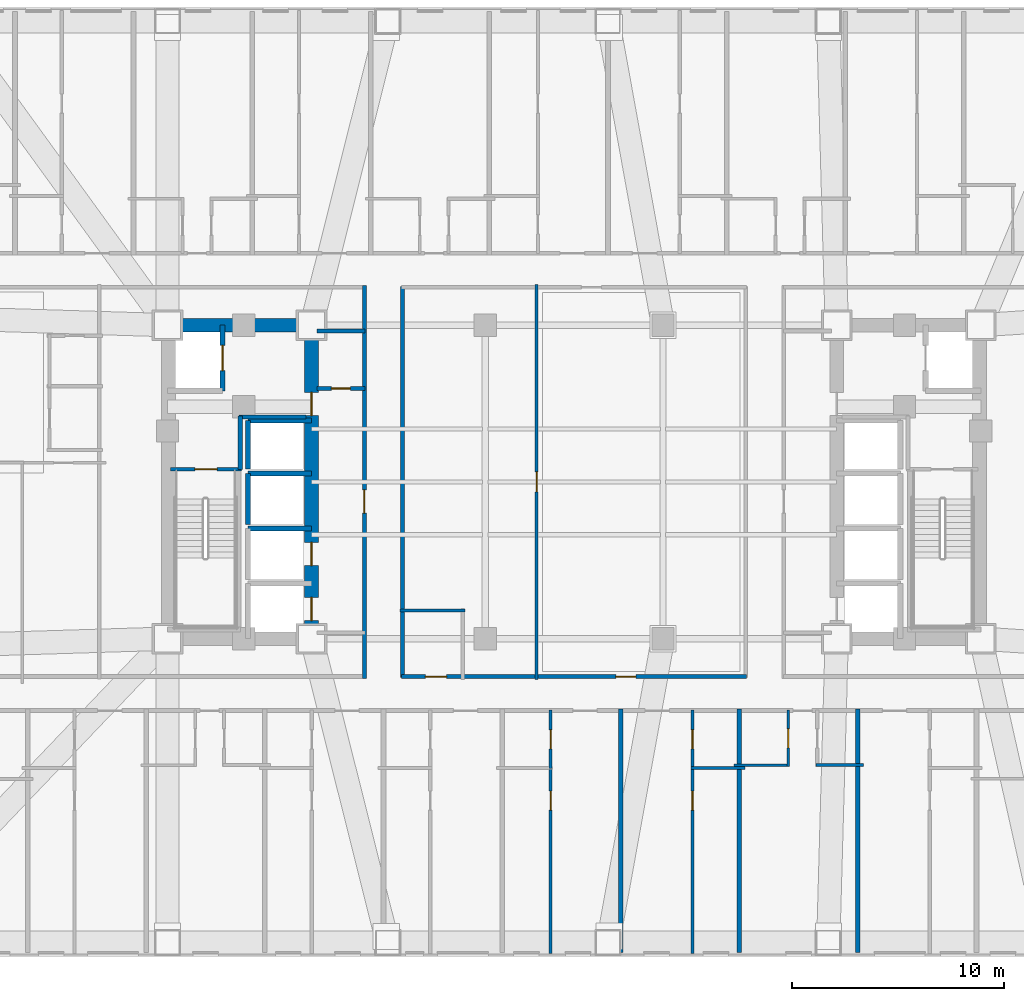
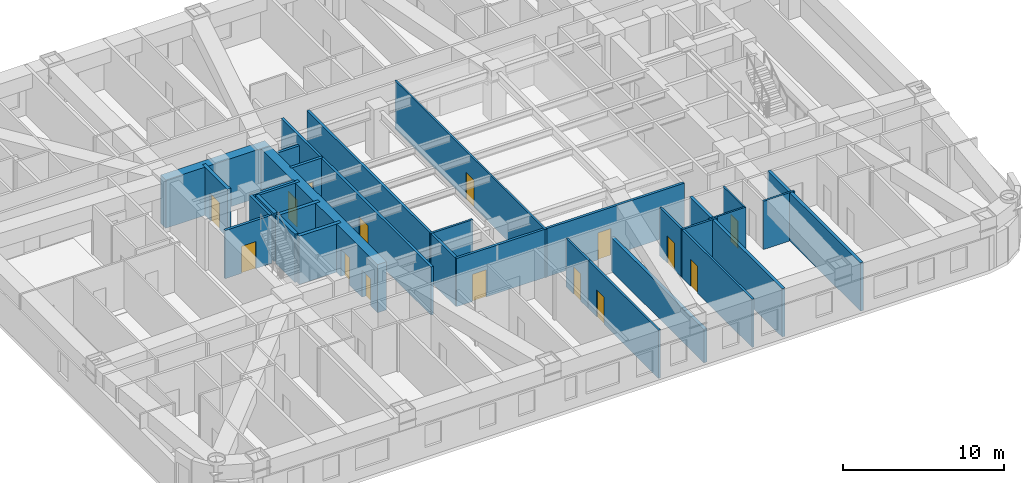
# One storey, part 5 of 12: 29 walls, 15 doors, 15 openings.
"""IFC4 building model written with IfcOpenShell, lengths in metres."""

from ifc_helpers import new_model, si_unit, direction, frame, frame_2d, origin, place, context, subcontext, project, spatial, rectangle, extrude, material, layer, layer_set, type_object, element, fill, save


model = new_model("IFC4")

# Units and contexts
model_context = context("Model", 3, precision=1e-05, world=origin(), true_north=direction((0.0, 1.0)))
body_context = subcontext(model_context, "Body", "Model", "MODEL_VIEW")
ifc_project = project(units=[si_unit("LENGTHUNIT", "METRE"), si_unit("AREAUNIT", "SQUARE_METRE"), si_unit("VOLUMEUNIT", "CUBIC_METRE"), si_unit("PLANEANGLEUNIT", "RADIAN"), si_unit("MASSUNIT", "GRAM", prefix="KILO")], contexts=[model_context])

# Site, building, storey
site_placement = place(None, origin())
site = spatial("IfcSite", under=ifc_project, at=site_placement, CompositionType="ELEMENT")
building_placement = place(site_placement, origin())
building = spatial("IfcBuilding", under=site, at=building_placement, Name="Voryun Gate Residences", CompositionType="ELEMENT")
storey_placement = place(building_placement, frame((0.0, 0.0, 29.89990234375)))
storey = spatial("IfcBuildingStorey", under=building, at=storey_placement, Name="L06", CompositionType="ELEMENT", Elevation=29.89990234375)

# Wall
ifc_material_1 = material(Name="Concrete C60/75", Category="concrete")
ifc_layer_1 = layer(ifc_material_1, 0.64990234375, Name="CW_CORE_650")
ifc_layer_set_1 = layer_set([ifc_layer_1], Name="Concrete C60/75")
wall_type_1 = type_object("IfcWallType", Name="CW_CORE_650", PredefinedType="SHEAR", material=ifc_layer_set_1)
wall_1_placement = place(storey_placement, frame((-19.52490234375, 7.39990234375, 0.0), z_axis=(0.0, 0.0, 1.0), x_axis=(1.0, 0.0, 0.0)))
element("IfcWall", 1, at=wall_1_placement, inside=storey, type_object=wall_type_1, Name="L06 Core shear wall CW-L06-WN", PredefinedType="SHEAR", context=body_context, shape_type="SweptSolid", body=[
    extrude(rectangle(XDim=7.449951171875, YDim=0.64990234375, at=frame_2d((3.72509765625, 0.0))), origin(), (0.0, 0.0, 1.0), 3.650146484375),
])

# Wall, openings, doors
wall_2_placement = place(storey_placement, frame((-12.39990234375, -7.39990234375, 0.0), z_axis=(0.0, 0.0, 1.0), x_axis=(0.0, 1.0, 0.0)))
wall_2 = element("IfcWall", 2, at=wall_2_placement, inside=storey, type_object=wall_type_1, Name="L06 Core shear wall CW-L06-WE", PredefinedType="SHEAR", context=body_context, shape_type="SweptSolid", body=[
    extrude(rectangle(XDim=14.7998046875, YDim=0.64990234375, at=frame_2d((7.39990234375, 0.0))), origin(), (0.0, 0.0, 1.0), 3.650146484375),
])
opening_1_placement = place(wall_2_placement, frame((0.85009765625, 0.0, 0.0)))
opening_1 = element("IfcOpeningElement", 3, at=opening_1_placement, cuts=wall_2, Name="Opening LD2", PredefinedType="OPENING", context=body_context, shape_type="SweptSolid", body=[
    extrude(rectangle(XDim=1.10009765625, YDim=2.050048828125, at=frame_2d((0.550048828125, 1.02490234375))), frame((0.0, 0.3349609375, 0.0), z_axis=(0.0, -1.0, 0.0), x_axis=(1.0, 0.0, 0.0)), (0.0, 0.0, 1.0), 0.669921875),
])
opening_2_placement = place(wall_2_placement, frame((3.449951171875, 0.0, 0.0)))
opening_2 = element("IfcOpeningElement", 4, at=opening_2_placement, cuts=wall_2, Name="Opening LD2", PredefinedType="OPENING", context=body_context, shape_type="SweptSolid", body=[
    extrude(rectangle(XDim=1.10009765625, YDim=2.050048828125, at=frame_2d((0.550048828125, 1.02490234375))), frame((0.0, 0.3349609375, 0.0), z_axis=(0.0, -1.0, 0.0), x_axis=(1.0, 0.0, 0.0)), (0.0, 0.0, 1.0), 0.669921875),
])
opening_3_placement = place(wall_2_placement, frame((10.530029296875, 0.0, 0.0)))
opening_3 = element("IfcOpeningElement", 5, at=opening_3_placement, cuts=wall_2, Name="Opening D-FD60-2", PredefinedType="OPENING", context=body_context, shape_type="SweptSolid", body=[
    extrude(rectangle(XDim=1.10009765625, YDim=2.050048828125, at=frame_2d((0.550048828125, 1.02490234375))), frame((0.0, 0.3349609375, 0.0), z_axis=(0.0, -1.0, 0.0), x_axis=(1.0, 0.0, 0.0)), (0.0, 0.0, 1.0), 0.669921875),
])
ifc_material_2 = material(Name="Painted steel fire door", Category="steel")
door_type_1 = type_object("IfcDoorType", Name="DR_FD60_FFLOB_1100", OperationType="NOTDEFINED", PredefinedType="DOOR", material=ifc_material_2)
door_1_placement = place(opening_3_placement, origin())
door_1 = element("IfcDoor", 6, at=door_1_placement, inside=storey, type_object=door_type_1, Name="Door DR-L06-CLOB-W", OperationType="SINGLE_SWING_LEFT", OverallHeight=2.050048828125, OverallWidth=1.10009765625, PredefinedType="DOOR", context=body_context, shape_type="SweptSolid", body=[
    extrude(rectangle(XDim=1.10009765625, YDim=2.050048828125, at=frame_2d((0.550048828125, 1.02490234375))), frame((0.0, 0.02490234375, 0.0), z_axis=(0.0, -1.0, 0.0), x_axis=(1.0, 0.0, 0.0)), (0.0, 0.0, 1.0), 0.050048828125),
])
fill(opening_3, door_1)
ifc_material_3 = material(Name="Anodised aluminium", Category="aluminium")
door_type_2 = type_object("IfcDoorType", Name="DR_LD_PASS_1100", OperationType="NOTDEFINED", PredefinedType="DOOR", material=ifc_material_3)
door_2_placement = place(opening_1_placement, origin())
door_2 = element("IfcDoor", 7, at=door_2_placement, inside=storey, type_object=door_type_2, Name="Lift EL-P1 sliding landing door L06", OperationType="SLIDING_TO_LEFT", OverallHeight=2.050048828125, OverallWidth=1.10009765625, PredefinedType="DOOR", context=body_context, shape_type="SweptSolid", body=[
    extrude(rectangle(XDim=1.10009765625, YDim=2.050048828125, at=frame_2d((0.550048828125, 1.02490234375))), frame((0.0, 0.02490234375, 0.0), z_axis=(0.0, -1.0, 0.0), x_axis=(1.0, 0.0, 0.0)), (0.0, 0.0, 1.0), 0.050048828125),
])
fill(opening_1, door_2)
door_3_placement = place(opening_2_placement, origin())
door_3 = element("IfcDoor", 8, at=door_3_placement, inside=storey, type_object=door_type_2, Name="Lift EL-P2 sliding landing door L06", OperationType="SLIDING_TO_LEFT", OverallHeight=2.050048828125, OverallWidth=1.10009765625, PredefinedType="DOOR", context=body_context, shape_type="SweptSolid", body=[
    extrude(rectangle(XDim=1.10009765625, YDim=2.050048828125, at=frame_2d((0.550048828125, 1.02490234375))), frame((0.0, 0.02490234375, 0.0), z_axis=(0.0, -1.0, 0.0), x_axis=(1.0, 0.0, 0.0)), (0.0, 0.0, 1.0), 0.050048828125),
])
fill(opening_2, door_3)

# Wall, opening, door
ifc_material_4 = material(Name="Gypsum acoustic fireboard")
ifc_layer_2 = layer(ifc_material_4, 0.179931640625, Name="W_CORR_RATED_180")
ifc_layer_set_2 = layer_set([ifc_layer_2], Name="Gypsum acoustic fireboard")
wall_type_2 = type_object("IfcWallType", Name="W_CORR_RATED_180", PredefinedType="PARTITIONING", material=ifc_layer_set_2)
wall_3_placement = place(storey_placement, frame((-19.06005859375, 0.60009765625, 0.0), z_axis=(0.0, 0.0, 1.0), x_axis=(1.0, 0.0, 0.0)))
wall_3 = element("IfcWall", 9, at=wall_3_placement, inside=storey, type_object=wall_type_2, Name="Partition wall WP-L06-STV-W", PredefinedType="PARTITIONING", context=body_context, shape_type="SweptSolid", body=[
    extrude(rectangle(XDim=3.360107421875, YDim=0.179931640625, at=frame_2d((1.68017578125, 0.0))), origin(), (0.0, 0.0, 1.0), 3.650146484375),
])
opening_4_placement = place(wall_3_placement, frame((1.155029296875, 0.0, 0.0)))
opening_4 = element("IfcOpeningElement", 10, at=opening_4_placement, cuts=wall_3, Name="Opening D-FD60-1", PredefinedType="OPENING", context=body_context, shape_type="SweptSolid", body=[
    extrude(rectangle(XDim=1.050048828125, YDim=2.050048828125, at=frame_2d((0.52490234375, 1.02490234375))), frame((0.0, 0.099853515625, 0.0), z_axis=(0.0, -1.0, 0.0), x_axis=(1.0, 0.0, 0.0)), (0.0, 0.0, 1.0), 0.199951171875),
])
ifc_material_5 = material(Name="Painted steel fire door", Category="steel")
door_type_3 = type_object("IfcDoorType", Name="DR_FD60_STAIR_1050", OperationType="NOTDEFINED", PredefinedType="DOOR", material=ifc_material_5)
door_4_placement = place(opening_4_placement, origin())
door_4 = element("IfcDoor", 11, at=door_4_placement, inside=storey, type_object=door_type_3, Name="Door DR-L06-ST-W", OperationType="SINGLE_SWING_LEFT", OverallHeight=2.050048828125, OverallWidth=1.050048828125, PredefinedType="DOOR", context=body_context, shape_type="SweptSolid", body=[
    extrude(rectangle(XDim=1.050048828125, YDim=2.050048828125, at=frame_2d((0.52490234375, 1.02490234375))), frame((0.0, 0.02490234375, 0.0), z_axis=(0.0, -1.0, 0.0), x_axis=(1.0, 0.0, 0.0)), (0.0, 0.0, 1.0), 0.050048828125),
])
fill(opening_4, door_4)

# Wall
wall_4_placement = place(storey_placement, frame((-12.14990234375, 7.1201171875, 0.0), z_axis=(0.0, 0.0, 1.0), x_axis=(1.0, 0.0, 0.0)))
element("IfcWall", 12, at=wall_4_placement, inside=storey, type_object=wall_type_2, Name="Partition wall WP-L06-PLBN-W", PredefinedType="PARTITIONING", context=body_context, shape_type="SweptSolid", body=[
    extrude(rectangle(XDim=2.27001953125, YDim=0.179931640625, at=frame_2d((1.135009765625, 0.0))), origin(), (0.0, 0.0, 1.0), 2.940185546875),
])

# Wall, opening, door
wall_5_placement = place(storey_placement, frame((-9.89990234375, -9.280029296875, 0.0), z_axis=(0.0, 0.0, 1.0), x_axis=(0.0, 1.0, 0.0)))
wall_5 = element("IfcWall", 13, at=wall_5_placement, inside=storey, type_object=wall_type_2, Name="Partition wall WP-L06-PLBW-FULL", PredefinedType="PARTITIONING", context=body_context, shape_type="SweptSolid", body=[
    extrude(rectangle(XDim=18.56005859375, YDim=0.179931640625, at=frame_2d((9.280029296875, 0.0))), origin(), (0.0, 0.0, 1.0), 3.650146484375),
])
opening_5_placement = place(wall_5_placement, frame((7.802001953125, 0.0, 0.0)))
opening_5 = element("IfcOpeningElement", 14, at=opening_5_placement, cuts=wall_5, Name="Opening D-FD60-2", PredefinedType="OPENING", context=body_context, shape_type="SweptSolid", body=[
    extrude(rectangle(XDim=1.10009765625, YDim=2.050048828125, at=frame_2d((0.550048828125, 1.02490234375))), frame((0.0, 0.099853515625, 0.0), z_axis=(0.0, -1.0, 0.0), x_axis=(1.0, 0.0, 0.0)), (0.0, 0.0, 1.0), 0.199951171875),
])
door_5_placement = place(opening_5_placement, origin())
door_5 = element("IfcDoor", 15, at=door_5_placement, inside=storey, type_object=door_type_1, Name="Door DR-L06-PLBW-COR", OperationType="SINGLE_SWING_LEFT", OverallHeight=2.050048828125, OverallWidth=1.10009765625, PredefinedType="DOOR", context=body_context, shape_type="SweptSolid", body=[
    extrude(rectangle(XDim=1.10009765625, YDim=2.050048828125, at=frame_2d((0.550048828125, 1.02490234375))), frame((0.0, 0.02490234375, 0.0), z_axis=(0.0, -1.0, 0.0), x_axis=(1.0, 0.0, 0.0)), (0.0, 0.0, 1.0), 0.050048828125),
])
fill(opening_5, door_5)

# Wall, openings, doors
wall_6_placement = place(storey_placement, frame((-8.14990234375, -9.18994140625, 0.0), z_axis=(0.0, 0.0, 1.0), x_axis=(1.0, 0.0, 0.0)))
wall_6 = element("IfcWall", 16, at=wall_6_placement, inside=storey, type_object=wall_type_2, Name="Partition wall WP-L06-Z1S", PredefinedType="PARTITIONING", context=body_context, shape_type="SweptSolid", body=[
    extrude(rectangle(XDim=16.2998046875, YDim=0.179931640625, at=frame_2d((8.14990234375, 0.0))), origin(), (0.0, 0.0, 1.0), 3.650146484375),
])
opening_6_placement = place(wall_6_placement, frame((1.1298828125, 0.0, 0.0)))
opening_6 = element("IfcOpeningElement", 17, at=opening_6_placement, cuts=wall_6, Name="Opening D-AWC-1", PredefinedType="OPENING", context=body_context, shape_type="SweptSolid", body=[
    extrude(rectangle(XDim=1.0, YDim=2.050048828125, at=frame_2d((0.5, 1.02490234375))), frame((0.0, 0.099853515625, 0.0), z_axis=(0.0, -1.0, 0.0), x_axis=(1.0, 0.0, 0.0)), (0.0, 0.0, 1.0), 0.199951171875),
])
opening_7_placement = place(wall_6_placement, frame((10.1201171875, 0.0, 0.0)))
opening_7 = element("IfcOpeningElement", 18, at=opening_7_placement, cuts=wall_6, Name="Opening D-INT-1", PredefinedType="OPENING", context=body_context, shape_type="SweptSolid", body=[
    extrude(rectangle(XDim=0.949951171875, YDim=2.050048828125, at=frame_2d((0.47509765625, 1.02490234375))), frame((0.0, 0.099853515625, 0.0), z_axis=(0.0, -1.0, 0.0), x_axis=(1.0, 0.0, 0.0)), (0.0, 0.0, 1.0), 0.199951171875),
])
ifc_material_6 = material(Name="Architectural oak veneer")
door_type_4 = type_object("IfcDoorType", Name="DR_ACC_WC_1000", OperationType="NOTDEFINED", PredefinedType="DOOR", material=ifc_material_6)
door_6_placement = place(opening_6_placement, origin())
door_6 = element("IfcDoor", 19, at=door_6_placement, inside=storey, type_object=door_type_4, Name="Door DR-L06-CMWC-D", OperationType="SINGLE_SWING_LEFT", OverallHeight=2.050048828125, OverallWidth=1.0, PredefinedType="DOOR", context=body_context, shape_type="SweptSolid", body=[
    extrude(rectangle(XDim=1.0, YDim=2.050048828125, at=frame_2d((0.5, 1.02490234375))), frame((0.0, 0.02490234375, 0.0), z_axis=(0.0, -1.0, 0.0), x_axis=(1.0, 0.0, 0.0)), (0.0, 0.0, 1.0), 0.050048828125),
])
fill(opening_6, door_6)
ifc_material_7 = material(Name="Architectural oak veneer")
door_type_5 = type_object("IfcDoorType", Name="DR_INT_ROOM_950", OperationType="NOTDEFINED", PredefinedType="DOOR", material=ifc_material_7)
door_7_placement = place(opening_7_placement, origin())
door_7 = element("IfcDoor", 20, at=door_7_placement, inside=storey, type_object=door_type_5, Name="Door DR-L06-CMIDZ1S", OperationType="SINGLE_SWING_RIGHT", OverallHeight=2.050048828125, OverallWidth=0.949951171875, PredefinedType="DOOR", context=body_context, shape_type="SweptSolid", body=[
    extrude(rectangle(XDim=0.949951171875, YDim=2.050048828125, at=frame_2d((0.47509765625, 1.02490234375))), frame((0.0, 0.02490234375, 0.0), z_axis=(0.0, -1.0, 0.0), x_axis=(1.0, 0.0, 0.0)), (0.0, 0.0, 1.0), 0.050048828125),
])
fill(opening_7, door_7)

# Walls
wall_7_placement = place(storey_placement, frame((-8.10009765625, -9.22998046875, 0.0), z_axis=(0.0, 0.0, 1.0), x_axis=(0.0, 1.0, 0.0)))
element("IfcWall", 21, at=wall_7_placement, inside=storey, type_object=wall_type_2, Name="Partition wall WP-L06-Z1W", PredefinedType="PARTITIONING", context=body_context, shape_type="SweptSolid", body=[
    extrude(rectangle(XDim=18.4599609375, YDim=0.179931640625, at=frame_2d((9.22998046875, 0.0))), origin(), (0.0, 0.0, 1.0), 3.650146484375),
])
ifc_material_8 = material(Name="Concrete C40/50", Category="concrete")
ifc_layer_3 = layer(ifc_material_8, 0.199951171875, Name="W_FF_LOBBY_200")
ifc_layer_set_3 = layer_set([ifc_layer_3], Name="Concrete C40/50")
wall_type_3 = type_object("IfcWallType", Name="W_FF_LOBBY_200", PredefinedType="PARTITIONING", material=ifc_layer_set_3)
wall_8_placement = place(storey_placement, frame((-15.760009765625, 0.580078125, 0.0), z_axis=(0.0, 0.0, 1.0), x_axis=(0.0, 1.0, 0.0)))
element("IfcWall", 22, at=wall_8_placement, inside=storey, type_object=wall_type_3, Name="Partition wall WP-L06-FFP0-W", PredefinedType="PARTITIONING", context=body_context, shape_type="SweptSolid", body=[
    extrude(rectangle(XDim=2.52001953125, YDim=0.199951171875, at=frame_2d((1.260009765625, 0.0))), origin(), (0.0, 0.0, 1.0), 3.650146484375),
])
wall_9_placement = place(storey_placement, frame((-15.820068359375, 3.06005859375, 0.0), z_axis=(0.0, 0.0, 1.0), x_axis=(1.0, 0.0, 0.0)))
element("IfcWall", 23, at=wall_9_placement, inside=storey, type_object=wall_type_3, Name="Partition wall WP-L06-FFPS-W", PredefinedType="PARTITIONING", context=body_context, shape_type="SweptSolid", body=[
    extrude(rectangle(XDim=3.16015625, YDim=0.199951171875, at=frame_2d((1.580078125, 0.0))), origin(), (0.0, 0.0, 1.0), 3.650146484375),
])

# Wall, opening, door
wall_10_placement = place(storey_placement, frame((-12.14990234375, 4.409912109375, 0.0), z_axis=(0.0, 0.0, 1.0), x_axis=(1.0, 0.0, 0.0)))
wall_10 = element("IfcWall", 24, at=wall_10_placement, inside=storey, type_object=wall_type_3, Name="Partition wall WP-L06-CSFLKS-W", PredefinedType="PARTITIONING", context=body_context, shape_type="SweptSolid", body=[
    extrude(rectangle(XDim=2.27001953125, YDim=0.199951171875, at=frame_2d((1.135009765625, 0.0))), origin(), (0.0, 0.0, 1.0), 3.650146484375),
])
opening_8_placement = place(wall_10_placement, frame((0.68505859375, 0.0, 0.0)))
opening_8 = element("IfcOpeningElement", 25, at=opening_8_placement, cuts=wall_10, Name="Opening D-FD60-4", PredefinedType="OPENING", context=body_context, shape_type="SweptSolid", body=[
    extrude(rectangle(XDim=0.89990234375, YDim=2.050048828125, at=frame_2d((0.449951171875, 1.02490234375))), frame((0.0, 0.110107421875, 0.0), z_axis=(0.0, -1.0, 0.0), x_axis=(1.0, 0.0, 0.0)), (0.0, 0.0, 1.0), 0.219970703125),
])
ifc_material_9 = material(Name="Painted steel fire door", Category="steel")
door_type_6 = type_object("IfcDoorType", Name="DR_FD60_RISER_900", OperationType="NOTDEFINED", PredefinedType="DOOR", material=ifc_material_9)
door_8_placement = place(opening_8_placement, origin())
door_8 = element("IfcDoor", 26, at=door_8_placement, inside=storey, type_object=door_type_6, Name="Door DR-L06-CSFLK-W", OperationType="SINGLE_SWING_LEFT", OverallHeight=2.050048828125, OverallWidth=0.89990234375, PredefinedType="DOOR", context=body_context, shape_type="SweptSolid", body=[
    extrude(rectangle(XDim=0.89990234375, YDim=2.050048828125, at=frame_2d((0.449951171875, 1.02490234375))), frame((0.0, 0.02490234375, 0.0), z_axis=(0.0, -1.0, 0.0), x_axis=(1.0, 0.0, 0.0)), (0.0, 0.0, 1.0), 0.050048828125),
])
fill(opening_8, door_8)

# Walls
ifc_material_10 = material(Name="Concrete C40/50", Category="concrete")
ifc_layer_4 = layer(ifc_material_10, 0.219970703125, Name="W_PARTY_ACOUSTIC_220")
ifc_layer_set_4 = layer_set([ifc_layer_4], Name="Concrete C40/50")
wall_type_4 = type_object("IfcWallType", Name="W_PARTY_ACOUSTIC_220", PredefinedType="PARTITIONING", material=ifc_layer_set_4)
wall_11_placement = place(storey_placement, frame((2.199951171875, -22.2099609375, 0.0), z_axis=(0.0, 0.0, 1.0), x_axis=(0.0, 1.0, 0.0)))
element("IfcWall", 27, at=wall_11_placement, inside=storey, type_object=wall_type_4, Name="Partition wall WP-L06-SPTY-6", PredefinedType="PARTITIONING", context=body_context, shape_type="SweptSolid", body=[
    extrude(rectangle(XDim=11.489990234375, YDim=0.219970703125, at=frame_2d((5.7451171875, 0.0))), origin(), (0.0, 0.0, 1.0), 2.5400390625),
])
for number, where, z_axis, x_axis, name in (
    (28, (7.800048828125, -22.2099609375, 0.0), (0.0, 0.0, 1.0), (0.0, 1.0, 0.0), "Partition wall WP-L06-SPTY-7"),
    (29, (13.39990234375, -22.2099609375, 0.0), (0.0, 0.0, 1.0), (0.0, 1.0, 0.0), "Partition wall WP-L06-SPTY-8"),
):
    element("IfcWall", number, at=place(storey_placement, frame(where, z_axis=z_axis, x_axis=x_axis)), inside=storey, type_object=wall_type_4, Name=name, PredefinedType="PARTITIONING", context=body_context, shape_type="SweptSolid", body=[
        extrude(rectangle(XDim=11.489990234375, YDim=0.219970703125, at=frame_2d((5.7451171875, 0.0))), origin(), (0.0, 0.0, 1.0), 3.650146484375),
    ])

# Wall, opening, door
ifc_material_11 = material(Name="Concrete C50/60", Category="concrete")
ifc_layer_5 = layer(ifc_material_11, 0.25, Name="W_SHAFT_RC250")
ifc_layer_set_5 = layer_set([ifc_layer_5], Name="Concrete C50/60")
wall_type_5 = type_object("IfcWallType", Name="W_SHAFT_RC250", PredefinedType="SOLIDWALL", material=ifc_layer_set_5)
wall_12_placement = place(storey_placement, frame((-16.60009765625, 4.300048828125, 0.0), z_axis=(0.0, 0.0, 1.0), x_axis=(0.0, 1.0, 0.0)))
wall_12 = element("IfcWall", 30, at=wall_12_placement, inside=storey, type_object=wall_type_5, Name="Lift shaft wall WSH-L06-EL-FF-W1-E", PredefinedType="SOLIDWALL", context=body_context, shape_type="SweptSolid", body=[
    extrude(rectangle(XDim=3.099853515625, YDim=0.25, at=frame_2d((1.5498046875, 0.0))), origin(), (0.0, 0.0, 1.0), 3.650146484375),
])
opening_9_placement = place(wall_12_placement, frame((0.949951171875, 0.0, 0.0)))
opening_9 = element("IfcOpeningElement", 31, at=opening_9_placement, cuts=wall_12, Name="Opening LD1", PredefinedType="OPENING", context=body_context, shape_type="SweptSolid", body=[
    extrude(rectangle(XDim=1.199951171875, YDim=2.050048828125, at=frame_2d((0.60009765625, 1.02490234375))), frame((0.0, 0.135009765625, 0.0), z_axis=(0.0, -1.0, 0.0), x_axis=(1.0, 0.0, 0.0)), (0.0, 0.0, 1.0), 0.27001953125),
])
ifc_material_12 = material(Name="Anodised aluminium", Category="aluminium")
door_type_7 = type_object("IfcDoorType", Name="DR_LD_FF_1200", OperationType="NOTDEFINED", PredefinedType="DOOR", material=ifc_material_12)
door_9_placement = place(opening_9_placement, origin())
door_9 = element("IfcDoor", 32, at=door_9_placement, inside=storey, type_object=door_type_7, Name="Lift EL-FF-W1 sliding landing door L06", OperationType="SLIDING_TO_LEFT", OverallHeight=2.050048828125, OverallWidth=1.199951171875, PredefinedType="DOOR", context=body_context, shape_type="SweptSolid", body=[
    extrude(rectangle(XDim=1.199951171875, YDim=2.050048828125, at=frame_2d((0.60009765625, 1.02490234375))), frame((0.0, 0.02490234375, 0.0), z_axis=(0.0, -1.0, 0.0), x_axis=(1.0, 0.0, 0.0)), (0.0, 0.0, 1.0), 0.050048828125),
])
fill(opening_9, door_9)

# Walls
for number, where, z_axis, x_axis, name in (
    (33, (-12.39990234375, -2.199951171875, 0.0), (0.0, 0.0, 1.0), (-1.0, 0.0, 0.0), "Lift shaft wall WSH-L06-EL-P2-N"),
    (34, (-12.39990234375, 0.39990234375, 0.0), (0.0, 0.0, 1.0), (-1.0, 0.0, 0.0), "Lift shaft wall WSH-L06-EL-P4-N"),
):
    element("IfcWall", number, at=place(storey_placement, frame(where, z_axis=z_axis, x_axis=x_axis)), inside=storey, type_object=wall_type_5, Name=name, PredefinedType="SOLIDWALL", context=body_context, shape_type="SweptSolid", body=[
        extrude(rectangle(XDim=3.0, YDim=0.25, at=frame_2d((1.5, 0.0))), origin(), (0.0, 0.0, 1.0), 3.650146484375),
    ])
wall_13_placement = place(storey_placement, frame((-15.39990234375, 0.39990234375, 0.0), z_axis=(0.0, 0.0, 1.0), x_axis=(0.0, -1.0, 0.0)))
element("IfcWall", 35, at=wall_13_placement, inside=storey, type_object=wall_type_5, Name="Lift shaft wall WSH-L06-EL-P4-W", PredefinedType="SOLIDWALL", context=body_context, shape_type="SweptSolid", body=[
    extrude(rectangle(XDim=2.39990234375, YDim=0.25, at=frame_2d((1.199951171875, 0.0))), origin(), (0.0, 0.0, 1.0), 3.650146484375),
])
wall_14_placement = place(storey_placement, frame((-12.39990234375, 2.89990234375, 0.0), z_axis=(0.0, 0.0, 1.0), x_axis=(-1.0, 0.0, 0.0)))
element("IfcWall", 36, at=wall_14_placement, inside=storey, type_object=wall_type_5, Name="Lift shaft wall WSH-L06-EL-P7-N", PredefinedType="SOLIDWALL", context=body_context, shape_type="SweptSolid", body=[
    extrude(rectangle(XDim=3.0, YDim=0.25, at=frame_2d((1.5, 0.0))), origin(), (0.0, 0.0, 1.0), 3.650146484375),
])
wall_15_placement = place(storey_placement, frame((-15.39990234375, 2.89990234375, 0.0), z_axis=(0.0, 0.0, 1.0), x_axis=(0.0, -1.0, 0.0)))
element("IfcWall", 37, at=wall_15_placement, inside=storey, type_object=wall_type_5, Name="Lift shaft wall WSH-L06-EL-P7-W", PredefinedType="SOLIDWALL", context=body_context, shape_type="SweptSolid", body=[
    extrude(rectangle(XDim=2.2998046875, YDim=0.25, at=frame_2d((1.14990234375, 0.0))), origin(), (0.0, 0.0, 1.0), 3.650146484375),
])

# Wall, opening, door
ifc_material_13 = material(Name="Gypsum acoustic partition")
ifc_layer_6 = layer(ifc_material_13, 0.125, Name="W_UNIT_PART_125")
ifc_layer_set_6 = layer_set([ifc_layer_6], Name="Gypsum acoustic partition")
wall_type_6 = type_object("IfcWallType", Name="W_UNIT_PART_125", PredefinedType="PARTITIONING", material=ifc_layer_set_6)
wall_16_placement = place(storey_placement, frame((-1.77294921875, -9.320068359375, 0.0), z_axis=(0.0, 0.0, 1.0), x_axis=(0.0, 1.0, 0.0)))
wall_16 = element("IfcWall", 38, at=wall_16_placement, inside=storey, type_object=wall_type_6, Name="Partition wall WP-L06-MIDX-0", PredefinedType="PARTITIONING", context=body_context, shape_type="SweptSolid", body=[
    extrude(rectangle(XDim=18.64013671875, YDim=0.125, at=frame_2d((9.320068359375, 0.0))), origin(), (0.0, 0.0, 1.0), 3.650146484375),
])
opening_10_placement = place(wall_16_placement, frame((8.844970703125, 0.0, 0.0)))
opening_10 = element("IfcOpeningElement", 39, at=opening_10_placement, cuts=wall_16, Name="Opening D-INT-1", PredefinedType="OPENING", context=body_context, shape_type="SweptSolid", body=[
    extrude(rectangle(XDim=0.949951171875, YDim=2.050048828125, at=frame_2d((0.47509765625, 1.02490234375))), frame((0.0, 0.072509765625, 0.0), z_axis=(0.0, -1.0, 0.0), x_axis=(1.0, 0.0, 0.0)), (0.0, 0.0, 1.0), 0.14501953125),
])
door_10_placement = place(opening_10_placement, origin())
door_10 = element("IfcDoor", 40, at=door_10_placement, inside=storey, type_object=door_type_5, Name="Door DR-L06-MIDX-0", OperationType="SINGLE_SWING_LEFT", OverallHeight=2.050048828125, OverallWidth=0.949951171875, PredefinedType="DOOR", context=body_context, shape_type="SweptSolid", body=[
    extrude(rectangle(XDim=0.949951171875, YDim=2.050048828125, at=frame_2d((0.47509765625, 1.02490234375))), frame((0.0, 0.02490234375, 0.0), z_axis=(0.0, -1.0, 0.0), x_axis=(1.0, 0.0, 0.0)), (0.0, 0.0, 1.0), 0.050048828125),
])
fill(opening_10, door_10)

wall_17_placement = place(storey_placement, frame((10.110107421875, -13.429931640625, 0.0), z_axis=(0.0, 0.0, 1.0), x_axis=(0.0, 1.0, 0.0)))
wall_17 = element("IfcWall", 41, at=wall_17_placement, inside=storey, type_object=wall_type_6, Name="Partition wall WP-L06-S8-CVK", PredefinedType="PARTITIONING", context=body_context, shape_type="SweptSolid", body=[
    extrude(rectangle(XDim=2.64990234375, YDim=0.125, at=frame_2d((1.324951171875, 0.0))), origin(), (0.0, 0.0, 1.0), 3.650146484375),
])
opening_11_placement = place(wall_17_placement, frame((0.875, 0.0, 0.0)))
opening_11 = element("IfcOpeningElement", 42, at=opening_11_placement, cuts=wall_17, Name="Opening D-INT-2", PredefinedType="OPENING", context=body_context, shape_type="SweptSolid", body=[
    extrude(rectangle(XDim=0.89990234375, YDim=2.050048828125, at=frame_2d((0.449951171875, 1.02490234375))), frame((0.0, 0.072509765625, 0.0), z_axis=(0.0, -1.0, 0.0), x_axis=(1.0, 0.0, 0.0)), (0.0, 0.0, 1.0), 0.14501953125),
])
ifc_material_14 = material(Name="Architectural oak veneer")
door_type_8 = type_object("IfcDoorType", Name="DR_INT_BATH_900", OperationType="NOTDEFINED", PredefinedType="DOOR", material=ifc_material_14)
door_11_placement = place(opening_11_placement, origin())
door_11 = element("IfcDoor", 43, at=door_11_placement, inside=storey, type_object=door_type_8, Name="Door DR-L06-S8-DK", OperationType="SINGLE_SWING_LEFT", OverallHeight=2.050048828125, OverallWidth=0.89990234375, PredefinedType="DOOR", context=body_context, shape_type="SweptSolid", body=[
    extrude(rectangle(XDim=0.89990234375, YDim=2.050048828125, at=frame_2d((0.449951171875, 1.02490234375))), frame((0.0, 0.02490234375, 0.0), z_axis=(0.0, -1.0, 0.0), x_axis=(1.0, 0.0, 0.0)), (0.0, 0.0, 1.0), 0.050048828125),
])
fill(opening_11, door_11)

# Walls
wall_18_placement = place(storey_placement, frame((7.5400390625, -13.3701171875, 0.0), z_axis=(0.0, 0.0, 1.0), x_axis=(1.0, 0.0, 0.0)))
element("IfcWall", 44, at=wall_18_placement, inside=storey, type_object=wall_type_6, Name="Partition wall WP-L06-S8-CHK", PredefinedType="PARTITIONING", context=body_context, shape_type="SweptSolid", body=[
    extrude(rectangle(XDim=2.6298828125, YDim=0.125, at=frame_2d((1.31494140625, 0.0))), origin(), (0.0, 0.0, 1.0), 3.650146484375),
])
ifc_material_15 = material(Name="Gypsum moisture-resistant partition")
ifc_layer_7 = layer(ifc_material_15, 0.14990234375, Name="W_WET_PLUMB_150")
ifc_layer_set_7 = layer_set([ifc_layer_7], Name="Gypsum moisture-resistant partition")
wall_type_7 = type_object("IfcWallType", Name="W_WET_PLUMB_150", PredefinedType="PLUMBINGWALL", material=ifc_layer_set_7)
wall_19_placement = place(storey_placement, frame((-8.2099609375, -6.070068359375, 0.0), z_axis=(0.0, 0.0, 1.0), x_axis=(1.0, 0.0, 0.0)))
element("IfcWall", 45, at=wall_19_placement, inside=storey, type_object=wall_type_7, Name="Partition wall WP-L06-CMWCY", PredefinedType="PLUMBINGWALL", context=body_context, shape_type="SweptSolid", body=[
    extrude(rectangle(XDim=3.050048828125, YDim=0.14990234375, at=frame_2d((1.52490234375, 0.0))), origin(), (0.0, 0.0, 1.0), 3.650146484375),
])

# Wall, opening, door
wall_20_placement = place(storey_placement, frame((-1.110107421875, -22.257568359375, 0.0), z_axis=(0.0, 0.0, 1.0), x_axis=(0.0, 1.0, 0.0)))
wall_20 = element("IfcWall", 46, at=wall_20_placement, inside=storey, type_object=wall_type_7, Name="Partition wall WP-L06-S6-SVT1", PredefinedType="PLUMBINGWALL", context=body_context, shape_type="SweptSolid", body=[
    extrude(rectangle(XDim=8.797607421875, YDim=0.14990234375, at=frame_2d((4.39892578125, 0.0))), origin(), (0.0, 0.0, 1.0), 3.650146484375),
])
opening_12_placement = place(wall_20_placement, frame((6.763916015625, 0.0, 0.0)))
opening_12 = element("IfcOpeningElement", 47, at=opening_12_placement, cuts=wall_20, Name="Opening D-INT-2", PredefinedType="OPENING", context=body_context, shape_type="SweptSolid", body=[
    extrude(rectangle(XDim=0.89990234375, YDim=2.050048828125, at=frame_2d((0.449951171875, 1.02490234375))), frame((0.0, 0.0849609375, 0.0), z_axis=(0.0, -1.0, 0.0), x_axis=(1.0, 0.0, 0.0)), (0.0, 0.0, 1.0), 0.169921875),
])
door_12_placement = place(opening_12_placement, origin())
door_12 = element("IfcDoor", 48, at=door_12_placement, inside=storey, type_object=door_type_8, Name="Door DR-L06-S6-DK", OperationType="SINGLE_SWING_LEFT", OverallHeight=2.050048828125, OverallWidth=0.89990234375, PredefinedType="DOOR", context=body_context, shape_type="SweptSolid", body=[
    extrude(rectangle(XDim=0.89990234375, YDim=2.050048828125, at=frame_2d((0.449951171875, 1.02490234375))), frame((0.0, 0.02490234375, 0.0), z_axis=(0.0, -1.0, 0.0), x_axis=(1.0, 0.0, 0.0)), (0.0, 0.0, 1.0), 0.050048828125),
])
fill(opening_12, door_12)

wall_21_placement = place(storey_placement, frame((-1.110107421875, -13.5400390625, 0.0), z_axis=(0.0, 0.0, 1.0), x_axis=(0.0, 1.0, 0.0)))
wall_21 = element("IfcWall", 49, at=wall_21_placement, inside=storey, type_object=wall_type_7, Name="Partition wall WP-L06-S6-SVT2", PredefinedType="PLUMBINGWALL", context=body_context, shape_type="SweptSolid", body=[
    extrude(rectangle(XDim=2.760009765625, YDim=0.14990234375, at=frame_2d((1.3798828125, 0.0))), origin(), (0.0, 0.0, 1.0), 3.650146484375),
])
opening_13_placement = place(wall_21_placement, frame((0.929931640625, 0.0, 0.0)))
opening_13 = element("IfcOpeningElement", 50, at=opening_13_placement, cuts=wall_21, Name="Opening D-INT-2", PredefinedType="OPENING", context=body_context, shape_type="SweptSolid", body=[
    extrude(rectangle(XDim=0.89990234375, YDim=2.050048828125, at=frame_2d((0.449951171875, 1.02490234375))), frame((0.0, 0.0849609375, 0.0), z_axis=(0.0, -1.0, 0.0), x_axis=(1.0, 0.0, 0.0)), (0.0, 0.0, 1.0), 0.169921875),
])
door_13_placement = place(opening_13_placement, origin())
door_13 = element("IfcDoor", 51, at=door_13_placement, inside=storey, type_object=door_type_8, Name="Door DR-L06-S6-DB", OperationType="SINGLE_SWING_RIGHT", OverallHeight=2.050048828125, OverallWidth=0.89990234375, PredefinedType="DOOR", context=body_context, shape_type="SweptSolid", body=[
    extrude(rectangle(XDim=0.89990234375, YDim=2.050048828125, at=frame_2d((0.449951171875, 1.02490234375))), frame((0.0, 0.02490234375, 0.0), z_axis=(0.0, -1.0, 0.0), x_axis=(1.0, 0.0, 0.0)), (0.0, 0.0, 1.0), 0.050048828125),
])
fill(opening_13, door_13)

# Wall
wall_22_placement = place(storey_placement, frame((5.510009765625, -13.5, 0.0), z_axis=(0.0, 0.0, 1.0), x_axis=(1.0, 0.0, 0.0)))
element("IfcWall", 52, at=wall_22_placement, inside=storey, type_object=wall_type_7, Name="Partition wall WP-L06-S7-SKB", PredefinedType="PLUMBINGWALL", context=body_context, shape_type="SweptSolid", body=[
    extrude(rectangle(XDim=2.550048828125, YDim=0.14990234375, at=frame_2d((1.27490234375, 0.0))), origin(), (0.0, 0.0, 1.0), 3.650146484375),
])

# Wall, opening, door
wall_23_placement = place(storey_placement, frame((5.590087890625, -22.257568359375, 0.0), z_axis=(0.0, 0.0, 1.0), x_axis=(0.0, 1.0, 0.0)))
wall_23 = element("IfcWall", 53, at=wall_23_placement, inside=storey, type_object=wall_type_7, Name="Partition wall WP-L06-S7-SVT1", PredefinedType="PLUMBINGWALL", context=body_context, shape_type="SweptSolid", body=[
    extrude(rectangle(XDim=8.797607421875, YDim=0.14990234375, at=frame_2d((4.39892578125, 0.0))), origin(), (0.0, 0.0, 1.0), 3.650146484375),
])
opening_14_placement = place(wall_23_placement, frame((6.763916015625, 0.0, 0.0)))
opening_14 = element("IfcOpeningElement", 54, at=opening_14_placement, cuts=wall_23, Name="Opening D-INT-2", PredefinedType="OPENING", context=body_context, shape_type="SweptSolid", body=[
    extrude(rectangle(XDim=0.89990234375, YDim=2.050048828125, at=frame_2d((0.449951171875, 1.02490234375))), frame((0.0, 0.0849609375, 0.0), z_axis=(0.0, -1.0, 0.0), x_axis=(1.0, 0.0, 0.0)), (0.0, 0.0, 1.0), 0.169921875),
])
door_14_placement = place(opening_14_placement, origin())
door_14 = element("IfcDoor", 55, at=door_14_placement, inside=storey, type_object=door_type_8, Name="Door DR-L06-S7-DK", OperationType="SINGLE_SWING_LEFT", OverallHeight=2.050048828125, OverallWidth=0.89990234375, PredefinedType="DOOR", context=body_context, shape_type="SweptSolid", body=[
    extrude(rectangle(XDim=0.89990234375, YDim=2.050048828125, at=frame_2d((0.449951171875, 1.02490234375))), frame((0.0, 0.02490234375, 0.0), z_axis=(0.0, -1.0, 0.0), x_axis=(1.0, 0.0, 0.0)), (0.0, 0.0, 1.0), 0.050048828125),
])
fill(opening_14, door_14)

wall_24_placement = place(storey_placement, frame((5.590087890625, -13.5400390625, 0.0), z_axis=(0.0, 0.0, 1.0), x_axis=(0.0, 1.0, 0.0)))
wall_24 = element("IfcWall", 56, at=wall_24_placement, inside=storey, type_object=wall_type_7, Name="Partition wall WP-L06-S7-SVT2", PredefinedType="PLUMBINGWALL", context=body_context, shape_type="SweptSolid", body=[
    extrude(rectangle(XDim=2.760009765625, YDim=0.14990234375, at=frame_2d((1.3798828125, 0.0))), origin(), (0.0, 0.0, 1.0), 3.650146484375),
])
opening_15_placement = place(wall_24_placement, frame((0.929931640625, 0.0, 0.0)))
opening_15 = element("IfcOpeningElement", 57, at=opening_15_placement, cuts=wall_24, Name="Opening D-INT-2", PredefinedType="OPENING", context=body_context, shape_type="SweptSolid", body=[
    extrude(rectangle(XDim=0.89990234375, YDim=2.050048828125, at=frame_2d((0.449951171875, 1.02490234375))), frame((0.0, 0.0849609375, 0.0), z_axis=(0.0, -1.0, 0.0), x_axis=(1.0, 0.0, 0.0)), (0.0, 0.0, 1.0), 0.169921875),
])
door_15_placement = place(opening_15_placement, origin())
door_15 = element("IfcDoor", 58, at=door_15_placement, inside=storey, type_object=door_type_8, Name="Door DR-L06-S7-DB", OperationType="SINGLE_SWING_RIGHT", OverallHeight=2.050048828125, OverallWidth=0.89990234375, PredefinedType="DOOR", context=body_context, shape_type="SweptSolid", body=[
    extrude(rectangle(XDim=0.89990234375, YDim=2.050048828125, at=frame_2d((0.449951171875, 1.02490234375))), frame((0.0, 0.02490234375, 0.0), z_axis=(0.0, -1.0, 0.0), x_axis=(1.0, 0.0, 0.0)), (0.0, 0.0, 1.0), 0.050048828125),
])
fill(opening_15, door_15)

# Wall
wall_25_placement = place(storey_placement, frame((11.4169921875, -13.3701171875, 0.0), z_axis=(0.0, 0.0, 1.0), x_axis=(1.0, 0.0, 0.0)))
element("IfcWall", 59, at=wall_25_placement, inside=storey, type_object=wall_type_7, Name="Partition wall WP-L06-S8-CHB", PredefinedType="PLUMBINGWALL", context=body_context, shape_type="SweptSolid", body=[
    extrude(rectangle(XDim=2.242919921875, YDim=0.14990234375, at=frame_2d((1.12158203125, 0.0))), origin(), (0.0, 0.0, 1.0), 3.650146484375),
])

save(model, "model.ifc")
